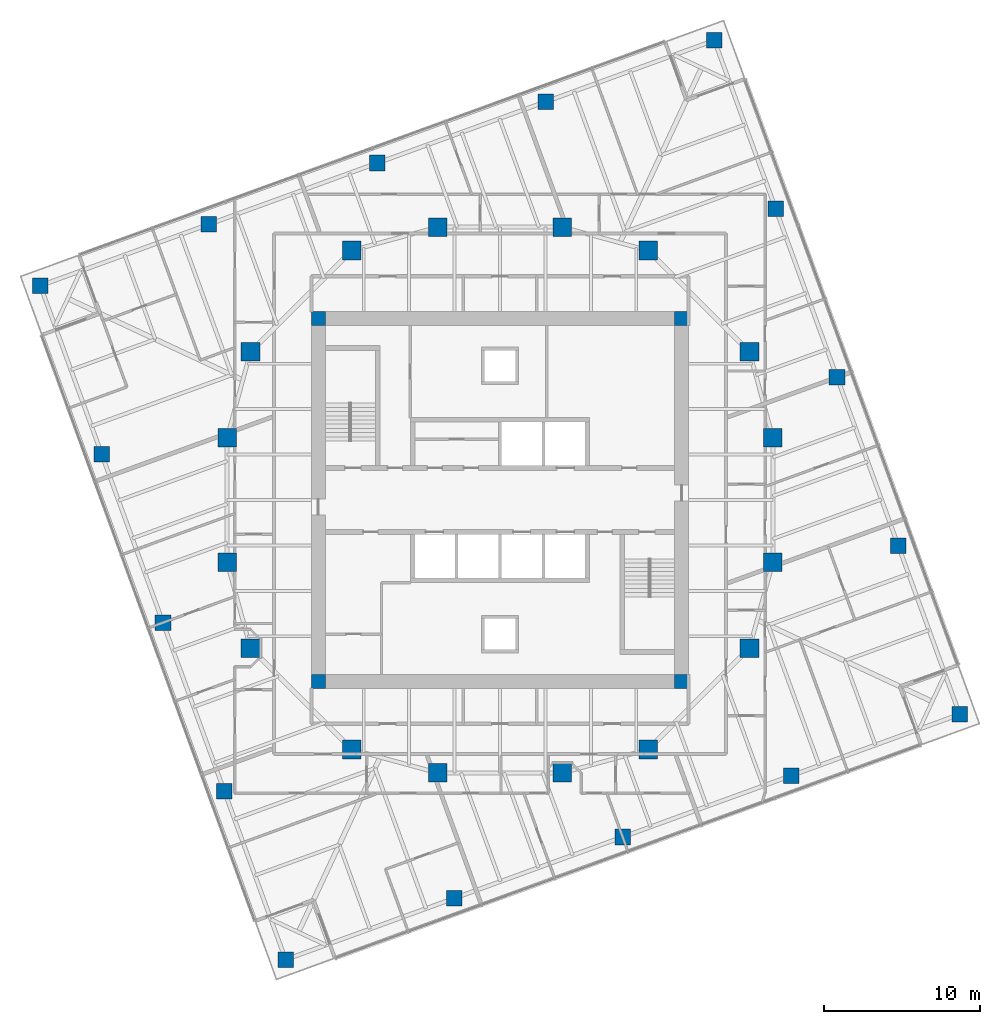
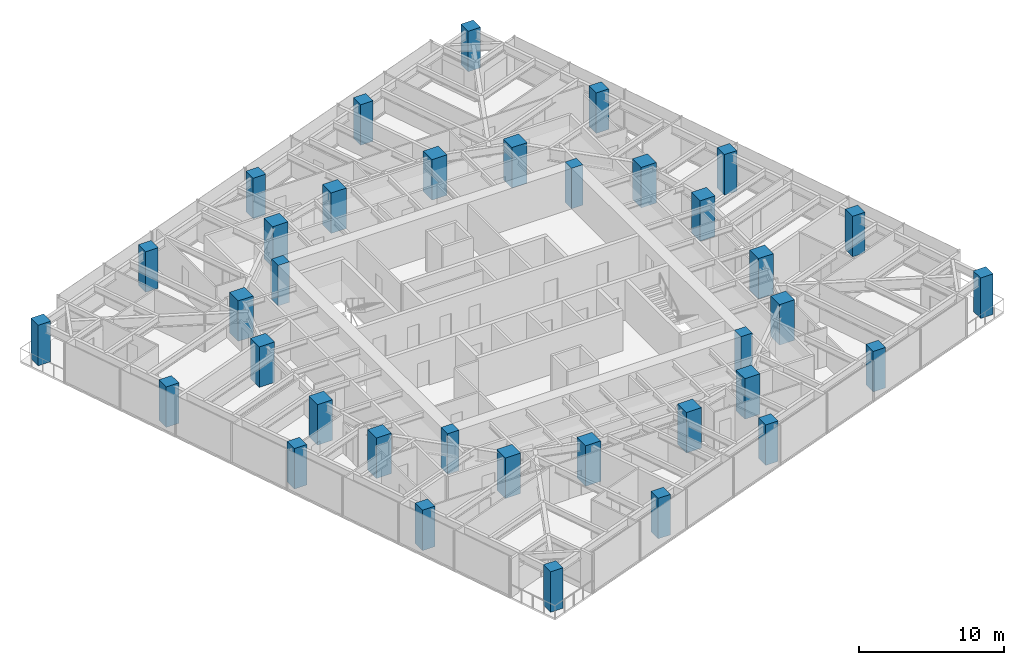
# One storey, part 1 of 13: 36 columns.
"""IFC4 building model written with IfcOpenShell, lengths in metres."""

import ifcopenshell
import ifcopenshell.guid

model = None  # the IFC model being written
_history = None  # IfcOwnerHistory: only IFC2X3 demands one
_inside = {}  # id of a spatial element -> (the spatial element, [elements in it])
_under = {}  # id of a project, library or spatial element -> (it, [spatial elements below it])
_declared = {}  # id of a project -> (the project, [libraries it declares])
_typed = {}  # id of a type object -> (the type object, [elements of that type])
_made_of = {}  # id of a material, layer set ... -> (it, [elements and type objects made of it])


def new_model(schema):
    """Start an empty IFC model of exactly this schema.

    Asked for "IFC4X3", IfcOpenShell would pick the latest addendum, in which some entities
    have other attributes; the version numbers below select the first issue.
    IFC2X3 requires an IfcOwnerHistory on every rooted entity: one is made here for all.
    """
    global model, _history
    if schema == "IFC4X3":
        model = ifcopenshell.file(schema_version=(4, 3, 0, 0))
    else:
        model = ifcopenshell.file(schema=schema)
    _inside.clear()
    _under.clear()
    _declared.clear()
    _typed.clear()
    _made_of.clear()
    _history = None
    if model.schema == "IFC2X3":
        org = make("IfcOrganization", Name="unknown")
        user = make(
            "IfcPersonAndOrganization",
            ThePerson=make("IfcPerson", FamilyName="unknown"),
            TheOrganization=org,
        )
        app = make(
            "IfcApplication",
            ApplicationDeveloper=org,
            Version="unknown",
            ApplicationFullName="unknown",
            ApplicationIdentifier="unknown",
        )
        _history = make(
            "IfcOwnerHistory",
            OwningUser=user,
            OwningApplication=app,
            ChangeAction="ADDED",
            CreationDate=0,
        )
    return model


def make(cls, **values):
    """One entity of the class cls with the attributes given. An attribute that is None is left unset."""
    return model.create_entity(
        cls, **{name: value for name, value in values.items() if value is not None}
    )


def rooted(cls, **values):
    """An entity with a GlobalId (a new one), such as an element, a storey or a relation."""
    return make(cls, GlobalId=ifcopenshell.guid.new(), OwnerHistory=_history, **values)


def si_unit(unit_type, name, prefix=None):
    """IfcSIUnit, for example si_unit("LENGTHUNIT", "METRE", prefix="MILLI")."""
    return make("IfcSIUnit", UnitType=unit_type, Prefix=prefix, Name=name)


def assignment(units):
    """IfcUnitAssignment: the units of a project."""
    return None if units is None else make("IfcUnitAssignment", Units=units)


def point(xyz):
    """IfcCartesianPoint."""
    return None if xyz is None else make("IfcCartesianPoint", Coordinates=xyz)


def direction(xyz):
    """IfcDirection."""
    return None if xyz is None else make("IfcDirection", DirectionRatios=xyz)


def frame(location, z_axis=None, x_axis=None):
    """IfcAxis2Placement3D, a coordinate frame: its origin and axes. An axis left out is left unset."""
    return make(
        "IfcAxis2Placement3D",
        Location=point(location),
        Axis=direction(z_axis),
        RefDirection=direction(x_axis),
    )


def frame_2d(location, x_axis=None):
    """IfcAxis2Placement2D, a coordinate frame in the plane: its origin and x axis."""
    return make(
        "IfcAxis2Placement2D", Location=point(location), RefDirection=direction(x_axis)
    )


def origin():
    """The frame at (0, 0, 0) with its axes left unset."""
    return frame((0.0, 0.0, 0.0))


def origin_2d():
    """The frame at (0, 0) in the plane with its x axis left unset."""
    return frame_2d((0.0, 0.0))


def place(relative_to, where):
    """IfcLocalPlacement: puts the frame where relative to a parent placement (None: the world)."""
    return make(
        "IfcLocalPlacement", PlacementRelTo=relative_to, RelativePlacement=where
    )


def context(
    kind, dimensions, precision=None, world=None, true_north=None, identifier=None
):
    """IfcGeometricRepresentationContext, for example the 3D "Model" context."""
    return make(
        "IfcGeometricRepresentationContext",
        ContextIdentifier=identifier,
        ContextType=kind,
        CoordinateSpaceDimension=dimensions,
        Precision=precision,
        WorldCoordinateSystem=world,
        TrueNorth=true_north,
    )


def subcontext(parent, identifier, kind, view, scale=None):
    """IfcGeometricRepresentationSubContext, for example "Body" below "Model"."""
    return make(
        "IfcGeometricRepresentationSubContext",
        ContextIdentifier=identifier,
        ContextType=kind,
        ParentContext=parent,
        TargetScale=scale,
        TargetView=view,
    )


def project(units=None, contexts=None):
    """IfcProject with its units and contexts."""
    return rooted(
        "IfcProject",
        Name="project",
        RepresentationContexts=contexts,
        UnitsInContext=assignment(units),
    )


def spatial(cls, under=None, at=None, **own):
    """A site, building, storey or space (cls), placed at a placement, below another one or the project."""
    s = rooted(cls, ObjectPlacement=at, **own)
    if under is not None:
        _under.setdefault(under.id(), (under, []))[1].append(s)
    return s


def profile(cls, at=None, kind="AREA", **sizes):
    """A parametric profile (cls). Its sizes go by their IFC names, for example OverallWidth=200.0."""
    return make(cls, ProfileType=kind, Position=at, **sizes)


def rectangle(**sizes):
    """IfcRectangleProfileDef."""
    return profile("IfcRectangleProfileDef", **sizes)


def extrude(swept, where, along, depth):
    """IfcExtrudedAreaSolid: the profile swept, set in the frame where, extruded along a direction by depth."""
    return make(
        "IfcExtrudedAreaSolid",
        SweptArea=swept,
        Position=where,
        ExtrudedDirection=direction(along),
        Depth=depth,
    )


def shape(context_of_items, identifier, shape_type, items):
    """IfcShapeRepresentation: the items that make up one representation, for example the "Body"."""
    return make(
        "IfcShapeRepresentation",
        ContextOfItems=context_of_items,
        RepresentationIdentifier=identifier,
        RepresentationType=shape_type,
        Items=items,
    )


def material(Name=None, Category=None):
    """IfcMaterial."""
    return make("IfcMaterial", Name=Name, Category=Category)


def material_profile(
    of_material, cross_section, Name=None, Category=None, Priority=None
):
    """IfcMaterialProfile: a cross section and its material."""
    return make(
        "IfcMaterialProfile",
        Name=Name,
        Material=of_material,
        Profile=cross_section,
        Priority=Priority,
        Category=Category,
    )


def profile_set(profiles, Name=None, composite=None):
    """IfcMaterialProfileSet."""
    return make(
        "IfcMaterialProfileSet",
        Name=Name,
        MaterialProfiles=profiles,
        CompositeProfile=composite,
    )


def made_of(thing, what):
    """Note that an element or type object is made of a material, layer set ...; save() writes the relation."""
    if what is not None:
        _made_of.setdefault(what.id(), (what, []))[1].append(thing)
    return thing


def type_object(cls, material=None, **own):
    """A type object (cls), such as IfcWallType, which elements share."""
    return made_of(rooted(cls, **own), material)


def element(
    cls,
    number,
    at=None,
    inside=None,
    cuts=None,
    type_object=None,
    material=None,
    context=None,
    identifier="Body",
    shape_type=None,
    held_by="IfcProductDefinitionShape",
    body=None,
    shapes=None,
    **own,
):
    """One element of the class cls, such as IfcWall. Its Tag is "e" and its number.

    at: its placement. inside: the storey or other place that contains it. cuts: it is an
    opening in that element (IfcRelVoidsElement). A single representation is given by context,
    identifier, shape_type and body (its items); several are given by shapes. held_by: the class
    of the entity that holds the representations. save() writes the other relations.
    """
    e = rooted(cls, Tag="e%d" % number, ObjectPlacement=at, **own)
    if body is not None:
        shapes = [shape(context, identifier, shape_type, body)]
    if shapes is not None:
        e.Representation = make(held_by, Representations=shapes)
    if inside is not None:
        _inside.setdefault(inside.id(), (inside, []))[1].append(e)
    if cuts is not None:
        rooted(
            "IfcRelVoidsElement", RelatingBuildingElement=cuts, RelatedOpeningElement=e
        )
    if type_object is not None:
        _typed.setdefault(type_object.id(), (type_object, []))[1].append(e)
    return made_of(e, material)


def aggregate(whole, parts):
    """IfcRelAggregates: a whole, such as a stair, and the parts it consists of."""
    return rooted("IfcRelAggregates", RelatingObject=whole, RelatedObjects=parts)


def save(model, path):
    """Write the relations noted so far, then the file.

    IfcRelAggregates (storeys below a building ...), IfcRelContainedInSpatialStructure (elements
    in a storey), IfcRelDefinesByType, IfcRelAssociatesMaterial and IfcRelDeclares: one each for
    every whole, place, type object, material and project.
    """
    for whole, parts in _under.values():
        aggregate(whole, parts)
    for where, things in _inside.values():
        rooted(
            "IfcRelContainedInSpatialStructure",
            RelatedElements=things,
            RelatingStructure=where,
        )
    for kind, things in _typed.values():
        rooted("IfcRelDefinesByType", RelatedObjects=things, RelatingType=kind)
    for what, things in _made_of.values():
        rooted("IfcRelAssociatesMaterial", RelatedObjects=things, RelatingMaterial=what)
    for by, libraries in _declared.values():
        rooted("IfcRelDeclares", RelatingContext=by, RelatedDefinitions=libraries)
    model.write(path)


model = new_model("IFC4")

# Units and contexts
model_context = context("Model", 3, precision=1e-05, world=origin(), true_north=direction((0.0, 1.0)))
body_context = subcontext(model_context, "Body", "Model", "MODEL_VIEW")
ifc_project = project(units=[si_unit("LENGTHUNIT", "METRE"), si_unit("AREAUNIT", "SQUARE_METRE"), si_unit("VOLUMEUNIT", "CUBIC_METRE"), si_unit("PLANEANGLEUNIT", "RADIAN"), si_unit("MASSUNIT", "GRAM", prefix="KILO")], contexts=[model_context])

# Site, building, storey
site_placement = place(None, origin())
site = spatial("IfcSite", under=ifc_project, at=site_placement, CompositionType="ELEMENT")
building_placement = place(site_placement, origin())
building = spatial("IfcBuilding", under=site, at=building_placement, Name="Torsade Residences", CompositionType="ELEMENT")
storey_placement = place(building_placement, frame((0.0, 0.0, 154.0)))
storey = spatial("IfcBuildingStorey", under=building, at=storey_placement, Name="L42", CompositionType="ELEMENT", Elevation=154.0)

# Columns
ifc_material_1 = material(Name="Concrete 80 MPa", Category="concrete")
ifc_material_profile_1 = material_profile(ifc_material_1, rectangle(XDim=0.89990234375, YDim=0.89990234375, at=origin_2d()), Name="RC 900x900")
ifc_profile_set_1 = profile_set([ifc_material_profile_1], Name="Concrete 80 MPa")
column_type_1 = type_object("IfcColumnType", Name="CORE CORNER COLUMN RC 900x900", PredefinedType="COLUMN", material=ifc_profile_set_1)
for number, where, z_axis, x_axis, name in (
    (1, (28.35009765625, 18.35009765625, 0.0), (0.0, 0.0, 1.0), (1.0, 0.0, 0.0), "Core corner column CC1 L42"),
    (2, (51.64990234375, 18.35009765625, 0.0), (0.0, 0.0, 1.0), (1.0, 0.0, 0.0), "Core corner column CC2 L42"),
    (3, (51.64990234375, 41.64990234375, 0.0), (0.0, 0.0, 1.0), (1.0, 0.0, 0.0), "Core corner column CC3 L42"),
    (4, (28.35009765625, 41.64990234375, 0.0), (0.0, 0.0, 1.0), (1.0, 0.0, 0.0), "Core corner column CC4 L42"),
):
    element("IfcColumn", number, at=place(storey_placement, frame(where, z_axis=z_axis, x_axis=x_axis)), inside=storey, type_object=column_type_1, Name=name, PredefinedType="COLUMN", context=body_context, shape_type="SweptSolid", body=[
        extrude(rectangle(XDim=0.89990234375, YDim=0.89990234375, at=origin_2d()), origin(), (0.0, 0.0, 1.0), 3.39990234375),
    ])
ifc_material_2 = material(Name="Concrete 80 MPa", Category="concrete")
ifc_material_profile_2 = material_profile(ifc_material_2, rectangle(XDim=1.199951171875, YDim=1.199951171875, at=origin_2d()), Name="RC 1200x1200")
ifc_profile_set_2 = profile_set([ifc_material_profile_2], Name="Concrete 80 MPa")
column_type_2 = type_object("IfcColumnType", Name="INNER RING COLUMN RC 1200x1200", PredefinedType="COLUMN", material=ifc_profile_set_2)
for number, where, z_axis, x_axis, name in (
    (5, (57.5, 26.0, 0.0), (0.0, 0.0, 1.0), (1.0, 0.0, 0.0), "Inner ring column IR01 L42"),
    (6, (57.5, 34.0, 0.0), (0.0, 0.0, 1.0), (1.0, 0.0, 0.0), "Inner ring column IR02 L42"),
    (7, (56.0, 39.5, 0.0), (0.0, 0.0, 1.0), (1.0, 0.0, 0.0), "Inner ring column IR03 L42"),
    (8, (49.5, 46.0, 0.0), (0.0, 0.0, 1.0), (1.0, 0.0, 0.0), "Inner ring column IR04 L42"),
    (9, (44.0, 47.5, 0.0), (0.0, 0.0, 1.0), (1.0, 0.0, 0.0), "Inner ring column IR05 L42"),
    (10, (36.0, 47.5, 0.0), (0.0, 0.0, 1.0), (1.0, 0.0, 0.0), "Inner ring column IR06 L42"),
    (11, (30.5, 46.0, 0.0), (0.0, 0.0, 1.0), (1.0, 0.0, 0.0), "Inner ring column IR07 L42"),
    (12, (24.0, 39.5, 0.0), (0.0, 0.0, 1.0), (1.0, 0.0, 0.0), "Inner ring column IR08 L42"),
    (13, (22.5, 34.0, 0.0), (0.0, 0.0, 1.0), (1.0, 0.0, 0.0), "Inner ring column IR09 L42"),
    (14, (22.5, 26.0, 0.0), (0.0, 0.0, 1.0), (1.0, 0.0, 0.0), "Inner ring column IR10 L42"),
    (15, (24.0, 20.5, 0.0), (0.0, 0.0, 1.0), (1.0, 0.0, 0.0), "Inner ring column IR11 L42"),
    (16, (30.5, 14.0, 0.0), (0.0, 0.0, 1.0), (1.0, 0.0, 0.0), "Inner ring column IR12 L42"),
    (17, (36.0, 12.5, 0.0), (0.0, 0.0, 1.0), (1.0, 0.0, 0.0), "Inner ring column IR13 L42"),
    (18, (44.0, 12.5, 0.0), (0.0, 0.0, 1.0), (1.0, 0.0, 0.0), "Inner ring column IR14 L42"),
    (19, (49.5, 14.0, 0.0), (0.0, 0.0, 1.0), (1.0, 0.0, 0.0), "Inner ring column IR15 L42"),
    (20, (56.0, 20.5, 0.0), (0.0, 0.0, 1.0), (1.0, 0.0, 0.0), "Inner ring column IR16 L42"),
):
    element("IfcColumn", number, at=place(storey_placement, frame(where, z_axis=z_axis, x_axis=x_axis)), inside=storey, type_object=column_type_2, Name=name, PredefinedType="COLUMN", context=body_context, shape_type="SweptSolid", body=[
        extrude(rectangle(XDim=1.199951171875, YDim=1.199951171875, at=origin_2d()), origin(), (0.0, 0.0, 1.0), 3.39990234375),
    ])
ifc_material_3 = material(Name="Concrete 80 MPa", Category="concrete")
ifc_material_profile_3 = material_profile(ifc_material_3, rectangle(XDim=1.0, YDim=1.0, at=origin_2d()), Name="RC 1000x1000")
ifc_profile_set_3 = profile_set([ifc_material_profile_3], Name="Concrete 80 MPa")
column_type_3 = type_object("IfcColumnType", Name="TOWER COLUMN RC 1000x1000", PredefinedType="COLUMN", material=ifc_profile_set_3)
for number, where, z_axis, x_axis, name in (
    (21, (26.25341796875, 0.5205078125, 0.0), (0.0, 0.0, 1.0), (1.0, 0.0, 0.0), "Column TC5-01 L42"),
    (22, (37.06005859375, 4.453857421875, 0.0), (0.0, 0.0, 1.0), (1.0, 0.0, 0.0), "Column TC5-02 L42"),
    (23, (47.866455078125, 8.386962890625, 0.0), (0.0, 0.0, 1.0), (1.0, 0.0, 0.0), "Column TC5-03 L42"),
    (24, (58.6728515625, 12.3203125, 0.0), (0.0, 0.0, 1.0), (1.0, 0.0, 0.0), "Column TC5-04 L42"),
    (25, (69.4794921875, 16.25341796875, 0.0), (0.0, 0.0, 1.0), (1.0, 0.0, 0.0), "Column TC5-05 L42"),
    (26, (65.546142578125, 27.06005859375, 0.0), (0.0, 0.0, 1.0), (1.0, 0.0, 0.0), "Column TC5-06 L42"),
    (27, (61.613037109375, 37.866455078125, 0.0), (0.0, 0.0, 1.0), (1.0, 0.0, 0.0), "Column TC5-07 L42"),
    (28, (57.6796875, 48.6728515625, 0.0), (0.0, 0.0, 1.0), (1.0, 0.0, 0.0), "Column TC5-08 L42"),
    (29, (53.74658203125, 59.4794921875, 0.0), (0.0, 0.0, 1.0), (1.0, 0.0, 0.0), "Column TC5-09 L42"),
    (30, (42.93994140625, 55.546142578125, 0.0), (0.0, 0.0, 1.0), (1.0, 0.0, 0.0), "Column TC5-10 L42"),
    (31, (32.133544921875, 51.613037109375, 0.0), (0.0, 0.0, 1.0), (1.0, 0.0, 0.0), "Column TC5-11 L42"),
    (32, (21.3271484375, 47.6796875, 0.0), (0.0, 0.0, 1.0), (1.0, 0.0, 0.0), "Column TC5-12 L42"),
    (33, (10.5205078125, 43.74658203125, 0.0), (0.0, 0.0, 1.0), (1.0, 0.0, 0.0), "Column TC5-13 L42"),
    (34, (14.453857421875, 32.93994140625, 0.0), (0.0, 0.0, 1.0), (1.0, 0.0, 0.0), "Column TC5-14 L42"),
    (35, (18.386962890625, 22.133544921875, 0.0), (0.0, 0.0, 1.0), (1.0, 0.0, 0.0), "Column TC5-15 L42"),
    (36, (22.3203125, 11.3271484375, 0.0), (0.0, 0.0, 1.0), (1.0, 0.0, 0.0), "Column TC5-16 L42"),
):
    element("IfcColumn", number, at=place(storey_placement, frame(where, z_axis=z_axis, x_axis=x_axis)), inside=storey, type_object=column_type_3, Name=name, PredefinedType="COLUMN", context=body_context, shape_type="SweptSolid", body=[
        extrude(rectangle(XDim=1.0, YDim=1.0, at=origin_2d()), origin(), (0.0, 0.0, 1.0), 3.39990234375),
    ])

save(model, "model.ifc")
